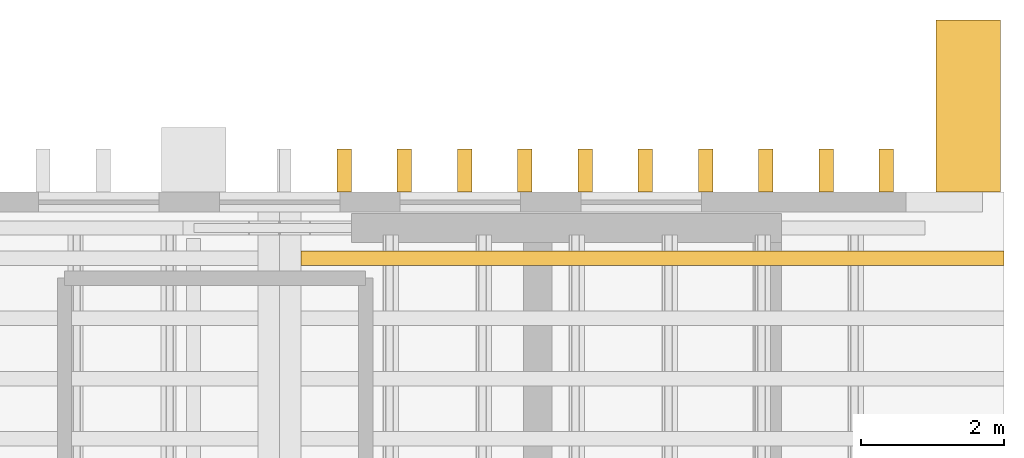
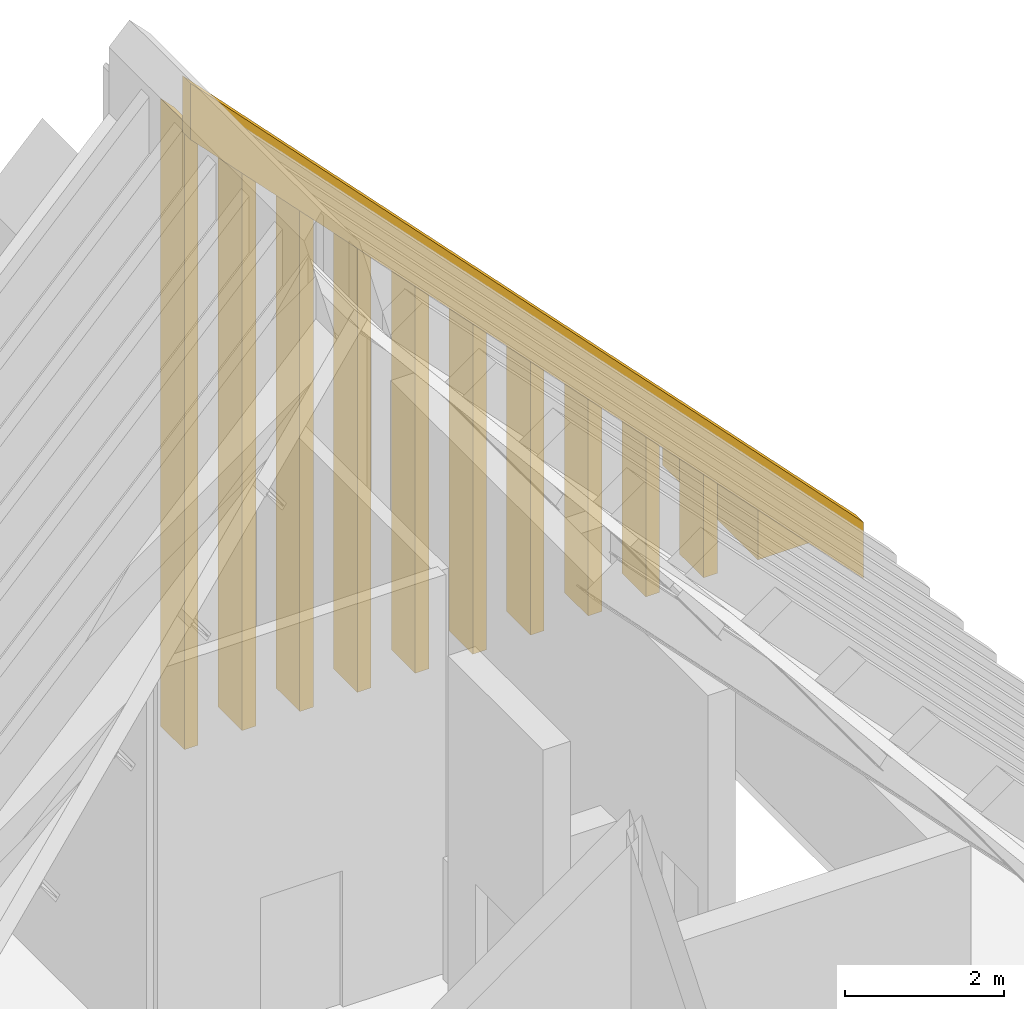
# One storey, part 6 of 6: 12 coverings.
"""IFC4 building model written with IfcOpenShell, lengths in metres."""

from ifc_helpers import new_model, si_unit, direction, frame, origin, place, context, subcontext, project, spatial, polyline, outline, extrude, material, type_object, element, save


model = new_model("IFC4")

# Units and contexts
model_context = context("Model", 3, precision=1e-05, world=origin(), true_north=direction((0.0, 1.0)))
body_context = subcontext(model_context, "Body", "Model", "MODEL_VIEW")
ifc_project = project(units=[si_unit("LENGTHUNIT", "METRE"), si_unit("AREAUNIT", "SQUARE_METRE"), si_unit("VOLUMEUNIT", "CUBIC_METRE"), si_unit("PLANEANGLEUNIT", "RADIAN"), si_unit("MASSUNIT", "GRAM", prefix="KILO")], contexts=[model_context])

# Site, building, storey
site_placement = place(None, origin())
site = spatial("IfcSite", under=ifc_project, at=site_placement, CompositionType="ELEMENT")
building_placement = place(site_placement, origin())
building = spatial("IfcBuilding", under=site, at=building_placement, Name="Cresset Court Congress Hotel", CompositionType="ELEMENT")
storey_placement = place(building_placement, frame((0.0, 0.0, 64.800048828125)))
storey = spatial("IfcBuildingStorey", under=building, at=storey_placement, Name="L15", CompositionType="ELEMENT", Elevation=64.800048828125)

# Coverings
ifc_material_1 = material(Name="Precast concrete C50", Category="concrete")
covering_type_1 = type_object("IfcCoveringType", Name="Precast stone fin 200x600", PredefinedType="CLADDING", material=ifc_material_1)
covering_1_placement = place(storey_placement, frame((0.0, 68.0, -64.800048828125)))
element("IfcCovering", 1, at=covering_1_placement, inside=storey, type_object=covering_type_1, Name="Fin N013", PredefinedType="CLADDING", context=body_context, shape_type="SweptSolid", body=[
    extrude(outline(polyline([(167.60009765625, 64.800048828125), (167.800048828125, 64.800048828125), (167.800048828125, 74.260498046875), (167.60009765625, 74.46826171875), (167.60009765625, 64.800048828125)])), frame((0.0, 0.300048828125, 0.0), z_axis=(0.0, -1.0, 0.0), x_axis=(1.0, 0.0, 0.0)), (0.0, 0.0, 1.0), 0.60009765625),
])
covering_2_placement = place(storey_placement, frame((0.0, 68.0, -64.800048828125)))
element("IfcCovering", 2, at=covering_2_placement, inside=storey, type_object=covering_type_1, Name="Fin N014", PredefinedType="CLADDING", context=body_context, shape_type="SweptSolid", body=[
    extrude(outline(polyline([(168.43994140625, 64.800048828125), (168.639892578125, 64.800048828125), (168.639892578125, 73.38720703125), (168.43994140625, 73.594970703125), (168.43994140625, 64.800048828125)])), frame((0.0, 0.300048828125, 0.0), z_axis=(0.0, -1.0, 0.0), x_axis=(1.0, 0.0, 0.0)), (0.0, 0.0, 1.0), 0.60009765625),
])
covering_3_placement = place(storey_placement, frame((0.0, 68.0, -64.800048828125)))
element("IfcCovering", 3, at=covering_3_placement, inside=storey, type_object=covering_type_1, Name="Fin N015", PredefinedType="CLADDING", context=body_context, shape_type="SweptSolid", body=[
    extrude(outline(polyline([(169.280029296875, 64.800048828125), (169.47998046875, 64.800048828125), (169.47998046875, 72.513916015625), (169.280029296875, 72.7216796875), (169.280029296875, 64.800048828125)])), frame((0.0, 0.300048828125, 0.0), z_axis=(0.0, -1.0, 0.0), x_axis=(1.0, 0.0, 0.0)), (0.0, 0.0, 1.0), 0.60009765625),
])
covering_4_placement = place(storey_placement, frame((0.0, 68.0, -64.800048828125)))
element("IfcCovering", 4, at=covering_4_placement, inside=storey, type_object=covering_type_1, Name="Fin N016", PredefinedType="CLADDING", context=body_context, shape_type="SweptSolid", body=[
    extrude(outline(polyline([(170.1201171875, 64.800048828125), (170.320068359375, 64.800048828125), (170.320068359375, 71.640625), (170.1201171875, 71.848388671875), (170.1201171875, 64.800048828125)])), frame((0.0, 0.300048828125, 0.0), z_axis=(0.0, -1.0, 0.0), x_axis=(1.0, 0.0, 0.0)), (0.0, 0.0, 1.0), 0.60009765625),
])
covering_5_placement = place(storey_placement, frame((0.0, 68.0, -64.800048828125)))
element("IfcCovering", 5, at=covering_5_placement, inside=storey, type_object=covering_type_1, Name="Fin N017", PredefinedType="CLADDING", context=body_context, shape_type="SweptSolid", body=[
    extrude(outline(polyline([(170.9599609375, 64.800048828125), (171.159912109375, 64.800048828125), (171.159912109375, 70.767333984375), (170.9599609375, 70.97509765625), (170.9599609375, 64.800048828125)])), frame((0.0, 0.300048828125, 0.0), z_axis=(0.0, -1.0, 0.0), x_axis=(1.0, 0.0, 0.0)), (0.0, 0.0, 1.0), 0.60009765625),
])
covering_6_placement = place(storey_placement, frame((0.0, 68.0, -64.800048828125)))
element("IfcCovering", 6, at=covering_6_placement, inside=storey, type_object=covering_type_1, Name="Fin N018", PredefinedType="CLADDING", context=body_context, shape_type="SweptSolid", body=[
    extrude(outline(polyline([(171.800048828125, 64.800048828125), (172.0, 64.800048828125), (172.0, 69.89404296875), (171.800048828125, 70.10205078125), (171.800048828125, 64.800048828125)])), frame((0.0, 0.300048828125, 0.0), z_axis=(0.0, -1.0, 0.0), x_axis=(1.0, 0.0, 0.0)), (0.0, 0.0, 1.0), 0.60009765625),
])
covering_7_placement = place(storey_placement, frame((0.0, 68.0, -64.800048828125)))
element("IfcCovering", 7, at=covering_7_placement, inside=storey, type_object=covering_type_1, Name="Fin N019", PredefinedType="CLADDING", context=body_context, shape_type="SweptSolid", body=[
    extrude(outline(polyline([(172.639892578125, 64.800048828125), (172.840087890625, 64.800048828125), (172.840087890625, 69.020751953125), (172.639892578125, 69.228759765625), (172.639892578125, 64.800048828125)])), frame((0.0, 0.300048828125, 0.0), z_axis=(0.0, -1.0, 0.0), x_axis=(1.0, 0.0, 0.0)), (0.0, 0.0, 1.0), 0.60009765625),
])
covering_8_placement = place(storey_placement, frame((0.0, 68.0, -64.800048828125)))
element("IfcCovering", 8, at=covering_8_placement, inside=storey, type_object=covering_type_1, Name="Fin N020", PredefinedType="CLADDING", context=body_context, shape_type="SweptSolid", body=[
    extrude(outline(polyline([(173.47998046875, 64.800048828125), (173.679931640625, 64.800048828125), (173.679931640625, 68.1474609375), (173.47998046875, 68.35546875), (173.47998046875, 64.800048828125)])), frame((0.0, 0.300048828125, 0.0), z_axis=(0.0, -1.0, 0.0), x_axis=(1.0, 0.0, 0.0)), (0.0, 0.0, 1.0), 0.60009765625),
])
covering_9_placement = place(storey_placement, frame((0.0, 68.0, -64.800048828125)))
element("IfcCovering", 9, at=covering_9_placement, inside=storey, type_object=covering_type_1, Name="Fin N021", PredefinedType="CLADDING", context=body_context, shape_type="SweptSolid", body=[
    extrude(outline(polyline([(174.320068359375, 64.800048828125), (174.52001953125, 64.800048828125), (174.52001953125, 67.2744140625), (174.320068359375, 67.482177734375), (174.320068359375, 64.800048828125)])), frame((0.0, 0.300048828125, 0.0), z_axis=(0.0, -1.0, 0.0), x_axis=(1.0, 0.0, 0.0)), (0.0, 0.0, 1.0), 0.60009765625),
])
covering_10_placement = place(storey_placement, frame((0.0, 68.0, -64.800048828125)))
element("IfcCovering", 10, at=covering_10_placement, inside=storey, type_object=covering_type_1, Name="Fin N022", PredefinedType="CLADDING", context=body_context, shape_type="SweptSolid", body=[
    extrude(outline(polyline([(175.159912109375, 64.800048828125), (175.360107421875, 64.800048828125), (175.360107421875, 66.40087890625), (175.159912109375, 66.60888671875), (175.159912109375, 64.800048828125)])), frame((0.0, 0.300048828125, 0.0), z_axis=(0.0, -1.0, 0.0), x_axis=(1.0, 0.0, 0.0)), (0.0, 0.0, 1.0), 0.60009765625),
])
ifc_material_2 = material(Name="Precast concrete C50", Category="concrete")
covering_type_2 = type_object("IfcCoveringType", Name="Precast stone pier 900x2400", PredefinedType="CLADDING", material=ifc_material_2)
covering_11_placement = place(storey_placement, frame((0.0, 68.89990234375, -64.800048828125)))
element("IfcCovering", 11, at=covering_11_placement, inside=storey, type_object=covering_type_2, Name="Pier N03", PredefinedType="CLADDING", context=body_context, shape_type="SweptSolid", body=[
    extrude(outline(polyline([(175.949951171875, 64.800048828125), (176.85009765625, 64.800048828125), (176.85009765625, 64.85205078125), (175.949951171875, 65.78759765625), (175.949951171875, 64.800048828125)])), frame((0.0, 1.199951171875, 0.0), z_axis=(0.0, -1.0, 0.0), x_axis=(1.0, 0.0, 0.0)), (0.0, 0.0, 1.0), 2.39990234375),
])
ifc_material_3 = material(Name="Precast concrete C50", Category="concrete")
covering_type_3 = type_object("IfcCoveringType", Name="Precast stone roof rib 200x600", PredefinedType="CLADDING", material=ifc_material_3)
covering_12_placement = place(storey_placement, frame((0.0, 66.780029296875, -64.800048828125)))
element("IfcCovering", 12, at=covering_12_placement, inside=storey, type_object=covering_type_3, Name="Roof rib E080", PredefinedType="CLADDING", context=body_context, shape_type="SweptSolid", body=[
    extrude(outline(polyline([(167.10009765625, 74.988037109375), (176.89990234375, 64.800048828125), (176.89990234375, 65.66552734375), (167.10009765625, 75.853515625), (167.10009765625, 74.988037109375)])), frame((0.0, 0.10009765625, 0.0), z_axis=(0.0, -1.0, 0.0), x_axis=(1.0, 0.0, 0.0)), (0.0, 0.0, 1.0), 0.199951171875),
])

save(model, "model.ifc")
